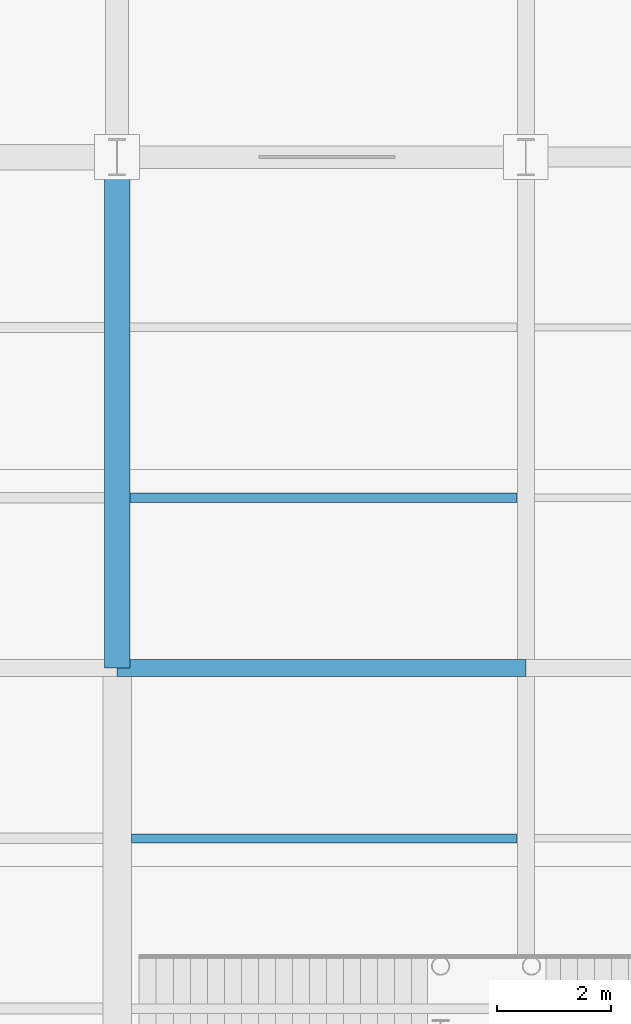
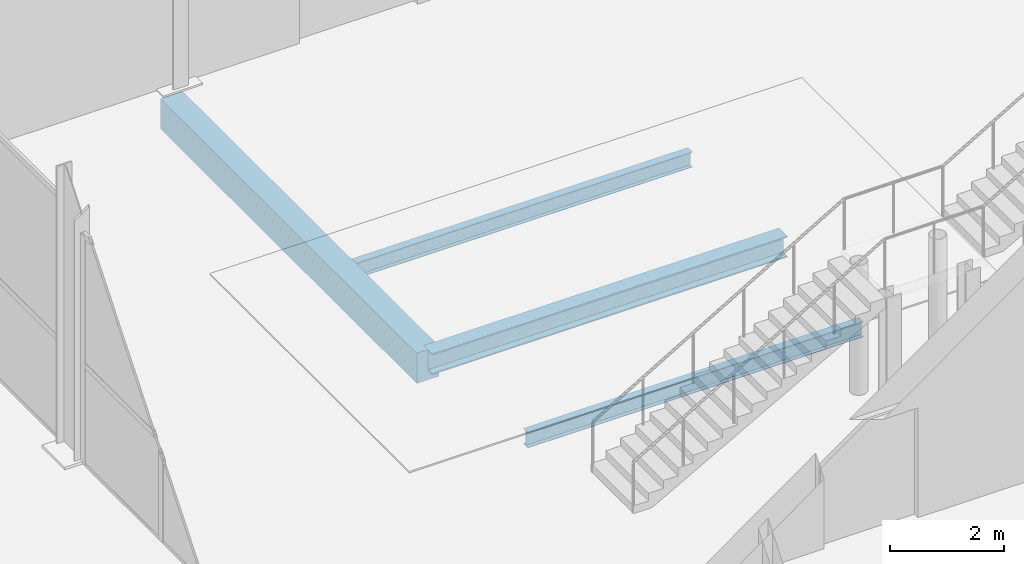
# One storey, part 49 of 144: 4 beams.
"""IFC4 building model written with IfcOpenShell, lengths in metres."""

from ifc_helpers import new_model, si_unit, direction, frame, origin, origin_2d, place, context, subcontext, project, spatial, rectangle, i_section, extrude, material, material_profile, profile_set, type_object, element, save


model = new_model("IFC4")

# Units and contexts
model_context = context("Model", 3, precision=1e-05, world=origin(), true_north=direction((0.0, 1.0)))
body_context = subcontext(model_context, "Body", "Model", "MODEL_VIEW")
ifc_project = project(units=[si_unit("LENGTHUNIT", "METRE"), si_unit("AREAUNIT", "SQUARE_METRE"), si_unit("VOLUMEUNIT", "CUBIC_METRE"), si_unit("PLANEANGLEUNIT", "RADIAN"), si_unit("MASSUNIT", "GRAM", prefix="KILO")], contexts=[model_context])

# Site, building, storey
site_placement = place(None, origin())
site = spatial("IfcSite", under=ifc_project, at=site_placement, CompositionType="ELEMENT")
building_placement = place(site_placement, origin())
building = spatial("IfcBuilding", under=site, at=building_placement, Name="Sundgate Opera House", CompositionType="ELEMENT")
storey_placement = place(building_placement, origin())
storey = spatial("IfcBuildingStorey", under=building, at=storey_placement, Name="L00", CompositionType="ELEMENT", Elevation=0.0)

# Beams
ifc_material_1 = material(Name="Steel S355J2", Category="steel")
ifc_material_profile_1 = material_profile(ifc_material_1, i_section(OverallWidth=0.300048828125, OverallDepth=0.449951171875, WebThickness=0.013916015625, FlangeThickness=0.02587890625, at=origin_2d()), Name="HEB 450")
ifc_profile_set_1 = profile_set([ifc_material_profile_1], Name="Steel S355J2")
beam_type_1 = type_object("IfcBeamType", Name="BM-GR-HEB450", PredefinedType="BEAM", material=ifc_profile_set_1)
beam_1_placement = place(storey_placement, frame((102.60009765625, 51.0, -0.544921875), z_axis=(1.0, 0.0, 0.0), x_axis=(0.0, 1.0, 0.0)))
element("IfcBeam", 1, at=beam_1_placement, inside=storey, type_object=beam_type_1, Name="L00 Primary E-W Girder B0437", PredefinedType="BEAM", context=body_context, shape_type="SweptSolid", body=[
    extrude(i_section(OverallWidth=0.300048828125, OverallDepth=0.449951171875, WebThickness=0.013916015625, FlangeThickness=0.02587890625, at=origin_2d()), origin(), (0.0, 0.0, 1.0), 7.199951171875),
])
ifc_material_2 = material(Name="Steel S355J2", Category="steel")
ifc_material_profile_2 = material_profile(ifc_material_2, i_section(OverallWidth=0.159912109375, OverallDepth=0.330078125, WebThickness=0.007568359375, FlangeThickness=0.011474609375, at=origin_2d()), Name="IPE 330")
ifc_profile_set_2 = profile_set([ifc_material_profile_2], Name="Steel S355J2")
beam_type_2 = type_object("IfcBeamType", Name="BM-JS-IPE330", PredefinedType="JOIST", material=ifc_profile_set_2)
beam_2_placement = place(storey_placement, frame((102.85009765625, 48.0, -0.485107421875), z_axis=(1.0, 0.0, 0.0), x_axis=(0.0, 1.0, 0.0)))
element("IfcBeam", 2, at=beam_2_placement, inside=storey, type_object=beam_type_2, Name="L00 Secondary Floor Joist B0766", PredefinedType="JOIST", context=body_context, shape_type="SweptSolid", body=[
    extrude(i_section(OverallWidth=0.159912109375, OverallDepth=0.330078125, WebThickness=0.007568359375, FlangeThickness=0.011474609375, at=origin_2d()), origin(), (0.0, 0.0, 1.0), 6.7998046875),
])
beam_3_placement = place(storey_placement, frame((102.824951171875, 54.0, -0.485107421875), z_axis=(1.0, 0.0, 0.0), x_axis=(0.0, 1.0, 0.0)))
element("IfcBeam", 3, at=beam_3_placement, inside=storey, type_object=beam_type_2, Name="L00 Secondary Floor Joist B0794", PredefinedType="JOIST", context=body_context, shape_type="SweptSolid", body=[
    extrude(i_section(OverallWidth=0.159912109375, OverallDepth=0.330078125, WebThickness=0.007568359375, FlangeThickness=0.011474609375, at=origin_2d()), origin(), (0.0, 0.0, 1.0), 6.824951171875),
])
ifc_material_3 = material(Name="Concrete C35/45", Category="concrete")
ifc_material_profile_3 = material_profile(ifc_material_3, rectangle(XDim=0.449951171875, YDim=0.64990234375, at=origin_2d()), Name="RC 450x650")
ifc_profile_set_3 = profile_set([ifc_material_profile_3], Name="Concrete C35/45")
beam_type_3 = type_object("IfcBeamType", Name="BM-RC-450x650", PredefinedType="BEAM", material=ifc_profile_set_3)
beam_4_placement = place(storey_placement, frame((102.60009765625, 51.0, -0.64501953125), z_axis=(0.0, 1.0, 0.0), x_axis=(-1.0, 0.0, 0.0)))
element("IfcBeam", 4, at=beam_4_placement, inside=storey, type_object=beam_type_3, Name="L00 Primary N-S Girder B0210", PredefinedType="BEAM", context=body_context, shape_type="SweptSolid", body=[
    extrude(rectangle(XDim=0.449951171875, YDim=0.64990234375, at=origin_2d()), origin(), (0.0, 0.0, 1.0), 9.0),
])

save(model, "model.ifc")
